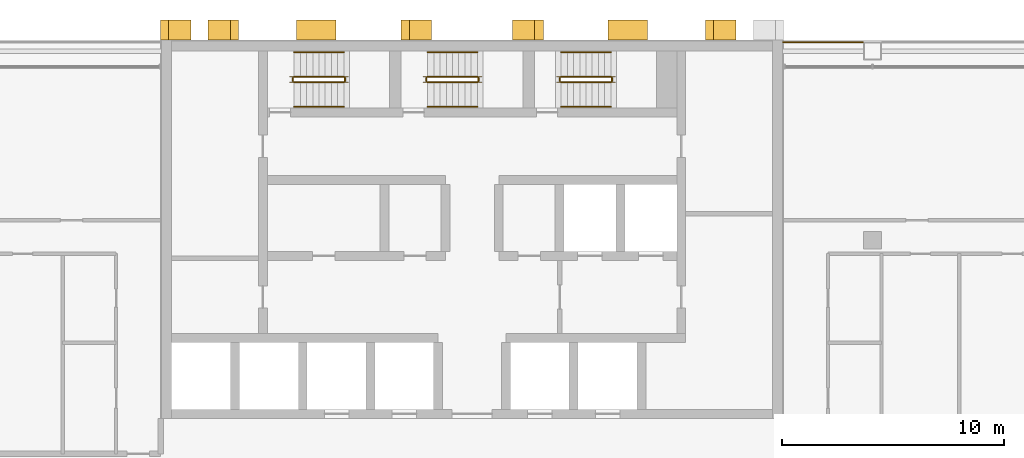
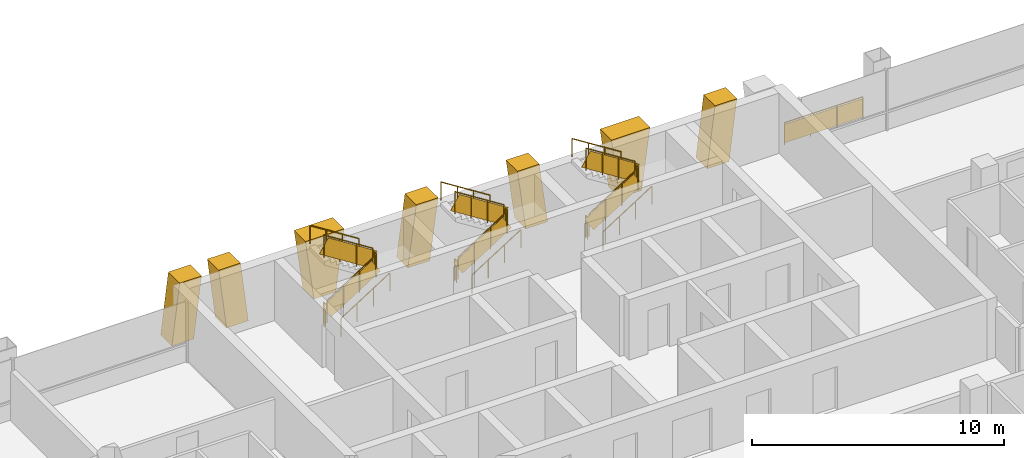
# One storey, part 16 of 17: 19 railings, 7 shading devices.
"""IFC4 building model written with IfcOpenShell, lengths in metres."""

from ifc_helpers import new_model, si_unit, direction, frame, origin, origin_2d, place, context, subcontext, project, spatial, polyline, rectangle, circle, outline, extrude, material, layer, layer_set, type_object, element, save


model = new_model("IFC4")

# Units and contexts
model_context = context("Model", 3, precision=1e-05, world=origin(), true_north=direction((0.0, 1.0)))
body_context = subcontext(model_context, "Body", "Model", "MODEL_VIEW")
ifc_project = project(units=[si_unit("LENGTHUNIT", "METRE"), si_unit("AREAUNIT", "SQUARE_METRE"), si_unit("VOLUMEUNIT", "CUBIC_METRE"), si_unit("PLANEANGLEUNIT", "RADIAN"), si_unit("MASSUNIT", "GRAM", prefix="KILO")], contexts=[model_context])

# Site, building, storey
site_placement = place(None, origin())
site = spatial("IfcSite", under=ifc_project, at=site_placement, CompositionType="ELEMENT")
building_placement = place(site_placement, origin())
building = spatial("IfcBuilding", under=site, at=building_placement, Name="Vidyagriha Tower", CompositionType="ELEMENT")
storey_placement = place(building_placement, frame((0.0, 0.0, 119.800048828125)))
storey = spatial("IfcBuildingStorey", under=building, at=storey_placement, Name="L30", CompositionType="ELEMENT", Elevation=119.800048828125)

# Shading devices
ifc_material_1 = material(Name="Precast concrete C40/50 with brick facing", Category="concrete")
ifc_layer_1 = layer(ifc_material_1, 1.0)
ifc_layer_set_1 = layer_set([ifc_layer_1], Name="Precast concrete C40/50 with brick facing")
shading_device_type_1 = type_object("IfcShadingDeviceType", Name="Brick-faced rear rib arm leaning 8 degrees", PredefinedType="USERDEFINED", material=ifc_layer_set_1)
shading_device_1_placement = place(storey_placement, frame((11.857177734375, 20.449951171875, 0.0), z_axis=(0.0, 0.0, 1.0), x_axis=(-1.0, 0.0, 0.0)))
element("IfcShadingDevice", 1, at=shading_device_1_placement, inside=storey, type_object=shading_device_type_1, Name="Rear rib arm L30 R08.1b", ObjectType="BLADE FIN", PredefinedType="USERDEFINED", context=body_context, shape_type="SweptSolid", body=[
    extrude(outline(polyline([(0.357177734375, 0.0), (1.357177734375, 0.0), (1.0, 2.919921875), (0.0, 2.919921875), (0.357177734375, 0.0)])), frame((0.0, 0.449951171875, 0.0), z_axis=(0.0, -1.0, 0.0), x_axis=(1.0, 0.0, 0.0)), (0.0, 0.0, 1.0), 0.89990234375),
])
shading_device_2_placement = place(storey_placement, frame((3.199951171875, 20.449951171875, 0.0), z_axis=(0.0, 0.0, 1.0), x_axis=(-1.0, 0.0, 0.0)))
element("IfcShadingDevice", 2, at=shading_device_2_placement, inside=storey, type_object=shading_device_type_1, Name="Rear rib arm L30 R08.3a", ObjectType="BLADE FIN", PredefinedType="USERDEFINED", context=body_context, shape_type="SweptSolid", body=[
    extrude(outline(polyline([(0.0, 0.0), (1.0, 0.0), (1.3857421875, 2.919921875), (0.3857421875, 2.919921875), (0.0, 0.0)])), frame((0.0, 0.449951171875, 0.0), z_axis=(0.0, -1.0, 0.0), x_axis=(1.0, 0.0, 0.0)), (0.0, 0.0, 1.0), 0.89990234375),
])
shading_device_3_placement = place(storey_placement, frame((-1.814208984375, 20.449951171875, 0.0), z_axis=(0.0, 0.0, 1.0), x_axis=(-1.0, 0.0, 0.0)))
element("IfcShadingDevice", 3, at=shading_device_3_placement, inside=storey, type_object=shading_device_type_1, Name="Rear rib arm L30 R08.3b", ObjectType="BLADE FIN", PredefinedType="USERDEFINED", context=body_context, shape_type="SweptSolid", body=[
    extrude(outline(polyline([(0.3857421875, 0.0), (1.3857421875, 0.0), (1.0, 2.919921875), (0.0, 2.919921875), (0.3857421875, 0.0)])), frame((0.0, 0.449951171875, 0.0), z_axis=(0.0, -1.0, 0.0), x_axis=(1.0, 0.0, 0.0)), (0.0, 0.0, 1.0), 0.89990234375),
])
shading_device_4_placement = place(storey_placement, frame((-10.5, 20.449951171875, 0.0), z_axis=(0.0, 0.0, 1.0), x_axis=(-1.0, 0.0, 0.0)))
element("IfcShadingDevice", 4, at=shading_device_4_placement, inside=storey, type_object=shading_device_type_1, Name="Rear rib arm L30 R08.5a", ObjectType="BLADE FIN", PredefinedType="USERDEFINED", context=body_context, shape_type="SweptSolid", body=[
    extrude(outline(polyline([(0.0, 0.0), (1.0, 0.0), (1.357177734375, 2.919921875), (0.357177734375, 2.919921875), (0.0, 0.0)])), frame((0.0, 0.449951171875, 0.0), z_axis=(0.0, -1.0, 0.0), x_axis=(1.0, 0.0, 0.0)), (0.0, 0.0, 1.0), 0.89990234375),
])
shading_device_5_placement = place(storey_placement, frame((-12.642822265625, 20.449951171875, 0.0), z_axis=(0.0, 0.0, 1.0), x_axis=(-1.0, 0.0, 0.0)))
element("IfcShadingDevice", 5, at=shading_device_5_placement, inside=storey, type_object=shading_device_type_1, Name="Rear rib arm L30 R08.5b", ObjectType="BLADE FIN", PredefinedType="USERDEFINED", context=body_context, shape_type="SweptSolid", body=[
    extrude(outline(polyline([(0.357177734375, 0.0), (1.357177734375, 0.0), (1.0, 2.919921875), (0.0, 2.919921875), (0.357177734375, 0.0)])), frame((0.0, 0.449951171875, 0.0), z_axis=(0.0, -1.0, 0.0), x_axis=(1.0, 0.0, 0.0)), (0.0, 0.0, 1.0), 0.89990234375),
])
ifc_material_2 = material(Name="Precast concrete C40/50 with brick facing", Category="concrete")
ifc_layer_2 = layer(ifc_material_2, 1.0)
ifc_layer_set_2 = layer_set([ifc_layer_2], Name="Precast concrete C40/50 with brick facing")
shading_device_type_2 = type_object("IfcShadingDeviceType", Name="Brick-faced rear rib forking 8 degrees", PredefinedType="USERDEFINED", material=ifc_layer_set_2)
for number, where, z_axis, x_axis, name in (
    (6, (7.8857421875, 20.449951171875, 0.0), (0.0, 0.0, 1.0), (-1.0, 0.0, 0.0), "Rear rib fork L30 R08.2a"),
    (7, (-6.1142578125, 20.449951171875, 0.0), (0.0, 0.0, 1.0), (-1.0, 0.0, 0.0), "Rear rib fork L30 R08.4a"),
):
    element("IfcShadingDevice", number, at=place(storey_placement, frame(where, z_axis=z_axis, x_axis=x_axis)), inside=storey, type_object=shading_device_type_2, Name=name, ObjectType="BLADE FIN", PredefinedType="USERDEFINED", context=body_context, shape_type="SweptSolid", body=[
        extrude(outline(polyline([(0.3857421875, 0.0), (1.3857421875, 0.0), (1.771484375, 2.919921875), (0.0, 2.919921875), (0.3857421875, 0.0)])), frame((0.0, 0.449951171875, 0.0), z_axis=(0.0, -1.0, 0.0), x_axis=(1.0, 0.0, 0.0)), (0.0, 0.0, 1.0), 0.89990234375),
    ])

# Railings
ifc_material_3 = material(Name="Steel ASTM A500 Grade C black painted", Category="steel")
railing_type_1 = type_object("IfcRailingType", Name="Gallery guard 1100", PredefinedType="GUARDRAIL", material=ifc_material_3)
railing_1_placement = place(storey_placement, frame((13.97998046875, 19.89990234375, 0.0)))
element("IfcRailing", 8, at=railing_1_placement, inside=storey, type_object=railing_type_1, Name="Gallery guard L30 9", PredefinedType="GUARDRAIL", context=body_context, shape_type="SweptSolid", body=[
    extrude(circle(Radius=0.02490234375, at=origin_2d()), frame((0.0, 0.0, 1.0751953125), z_axis=(1.0, 0.0, 0.0), x_axis=(0.0, 1.0, 0.0)), (0.0, 0.0, 1.0), 3.590087890625),
    extrude(circle(Radius=0.02001953125, at=origin_2d()), origin(), (0.0, 0.0, 1.0), 1.050048828125),
    extrude(circle(Radius=0.02001953125, at=origin_2d()), frame((1.19677734375, 0.0, 0.0)), (0.0, 0.0, 1.0), 1.050048828125),
    extrude(circle(Radius=0.02001953125, at=origin_2d()), frame((2.393310546875, 0.0, 0.0)), (0.0, 0.0, 1.0), 1.050048828125),
    extrude(circle(Radius=0.02001953125, at=origin_2d()), frame((3.590087890625, 0.0, 0.0)), (0.0, 0.0, 1.0), 1.050048828125),
    extrude(rectangle(XDim=0.010009765625, YDim=0.900146484375, at=origin_2d()), frame((0.0, 0.0, 0.550048828125), z_axis=(1.0, 0.0, 0.0), x_axis=(0.0, 1.0, 0.0)), (0.0, 0.0, 1.0), 3.590087890625),
])
ifc_material_4 = material(Name="Steel ASTM A500 Grade C", Category="steel")
railing_type_2 = type_object("IfcRailingType", Name="Stair guard 1100 mm, steel balustrade", PredefinedType="GUARDRAIL", material=ifc_material_4)
railing_2_placement = place(storey_placement, frame((-8.0, 18.10009765625, 0.177734375)))
element("IfcRailing", 9, at=railing_2_placement, inside=storey, type_object=railing_type_2, Name="L30 ST1 stair guard 1", PredefinedType="GUARDRAIL", context=body_context, shape_type="SweptSolid", body=[
    extrude(circle(Radius=0.02392578125, at=origin_2d()), frame((0.0, 0.0, 1.076171875), z_axis=(0.8442293374, 0.0, 0.53598211339), x_axis=(0.0, 1.0, 0.0)), (0.0, 0.0, 1.0), 2.6533203125),
    extrude(circle(Radius=0.02099609375, at=origin_2d()), origin(), (0.0, 0.0, 1.0), 1.052001953125),
    extrude(circle(Radius=0.02099609375, at=origin_2d()), frame((0.74658203125, 0.0, 0.47412109375)), (0.0, 0.0, 1.0), 1.052001953125),
    extrude(circle(Radius=0.02099609375, at=origin_2d()), frame((1.493408203125, 0.0, 0.947998046875)), (0.0, 0.0, 1.0), 1.052001953125),
    extrude(circle(Radius=0.02099609375, at=origin_2d()), frame((2.239990234375, 0.0, 1.422119140625)), (0.0, 0.0, 1.0), 1.052001953125),
    extrude(rectangle(XDim=0.010009765625, YDim=0.761474609375, at=origin_2d()), frame((0.0, 0.0, 0.551025390625), z_axis=(0.8442293374, 0.0, 0.53598211339), x_axis=(0.0, 1.0, 0.0)), (0.0, 0.0, 1.0), 2.6533203125),
])
railing_3_placement = place(storey_placement, frame((-5.7099609375, 18.14990234375, 1.599853515625)))
element("IfcRailing", 10, at=railing_3_placement, inside=storey, type_object=railing_type_2, Name="L30 ST1 stair guard 2", PredefinedType="GUARDRAIL", context=body_context, shape_type="SweptSolid", body=[
    extrude(circle(Radius=0.02392578125, at=origin_2d()), frame((0.0, 0.0, 1.076171875), z_axis=(0.0, 1.0, 0.0), x_axis=(-1.0, 0.0, 0.0)), (0.0, 0.0, 1.0), 0.150146484375),
    extrude(circle(Radius=0.02099609375, at=origin_2d()), origin(), (0.0, 0.0, 1.0), 1.052001953125),
    extrude(circle(Radius=0.02099609375, at=origin_2d()), frame((0.0, 0.150146484375, 0.0)), (0.0, 0.0, 1.0), 1.052001953125),
    extrude(rectangle(XDim=0.010009765625, YDim=0.902099609375, at=origin_2d()), frame((0.0, 0.0, 0.551025390625), z_axis=(0.0, 1.0, 0.0), x_axis=(-1.0, 0.0, 0.0)), (0.0, 0.0, 1.0), 0.150146484375),
])
railing_4_placement = place(storey_placement, frame((-5.760009765625, 18.35009765625, 1.77783203125)))
element("IfcRailing", 11, at=railing_4_placement, inside=storey, type_object=railing_type_2, Name="L30 ST1 stair guard 3", PredefinedType="GUARDRAIL", context=body_context, shape_type="SweptSolid", body=[
    extrude(circle(Radius=0.02392578125, at=origin_2d()), frame((0.0, 0.0, 1.076171875), z_axis=(-0.8442293374, 0.0, 0.53598211339), x_axis=(0.0, -1.0, 0.0)), (0.0, 0.0, 1.0), 2.6533203125),
    extrude(circle(Radius=0.02099609375, at=origin_2d()), origin(), (0.0, 0.0, 1.0), 1.052001953125),
    extrude(circle(Radius=0.02099609375, at=origin_2d()), frame((-0.74658203125, 0.0, 0.47412109375)), (0.0, 0.0, 1.0), 1.052001953125),
    extrude(circle(Radius=0.02099609375, at=origin_2d()), frame((-1.493408203125, 0.0, 0.947998046875)), (0.0, 0.0, 1.0), 1.052001953125),
    extrude(circle(Radius=0.02099609375, at=origin_2d()), frame((-2.239990234375, 0.0, 1.422119140625)), (0.0, 0.0, 1.0), 1.052001953125),
    extrude(rectangle(XDim=0.010009765625, YDim=0.761474609375, at=origin_2d()), frame((0.0, 0.0, 0.551025390625), z_axis=(-0.8442293374, 0.0, 0.53598211339), x_axis=(0.0, -1.0, 0.0)), (0.0, 0.0, 1.0), 2.6533203125),
])
railing_5_placement = place(storey_placement, frame((-8.050048828125, 18.14990234375, 0.0)))
element("IfcRailing", 12, at=railing_5_placement, inside=storey, type_object=railing_type_2, Name="L30 ST1 stair guard 4", PredefinedType="GUARDRAIL", context=body_context, shape_type="SweptSolid", body=[
    extrude(circle(Radius=0.02392578125, at=origin_2d()), frame((0.0, 0.0, 1.076171875), z_axis=(0.0, 1.0, 0.0), x_axis=(-1.0, 0.0, 0.0)), (0.0, 0.0, 1.0), 0.150146484375),
    extrude(circle(Radius=0.02099609375, at=origin_2d()), origin(), (0.0, 0.0, 1.0), 1.052001953125),
    extrude(circle(Radius=0.02099609375, at=origin_2d()), frame((0.0, 0.150146484375, 0.0)), (0.0, 0.0, 1.0), 1.052001953125),
    extrude(rectangle(XDim=0.010009765625, YDim=0.902099609375, at=origin_2d()), frame((0.0, 0.0, 0.551025390625), z_axis=(0.0, 1.0, 0.0), x_axis=(-1.0, 0.0, 0.0)), (0.0, 0.0, 1.0), 0.150146484375),
])
railing_6_placement = place(storey_placement, frame((-2.0, 18.10009765625, 0.177734375)))
element("IfcRailing", 13, at=railing_6_placement, inside=storey, type_object=railing_type_2, Name="L30 ST2 stair guard 1", PredefinedType="GUARDRAIL", context=body_context, shape_type="SweptSolid", body=[
    extrude(circle(Radius=0.02392578125, at=origin_2d()), frame((0.0, 0.0, 1.076171875), z_axis=(0.8442293374, 0.0, 0.53598211339), x_axis=(0.0, 1.0, 0.0)), (0.0, 0.0, 1.0), 2.6533203125),
    extrude(circle(Radius=0.02099609375, at=origin_2d()), origin(), (0.0, 0.0, 1.0), 1.052001953125),
    extrude(circle(Radius=0.02099609375, at=origin_2d()), frame((0.74658203125, 0.0, 0.47412109375)), (0.0, 0.0, 1.0), 1.052001953125),
    extrude(circle(Radius=0.02099609375, at=origin_2d()), frame((1.493408203125, 0.0, 0.947998046875)), (0.0, 0.0, 1.0), 1.052001953125),
    extrude(circle(Radius=0.02099609375, at=origin_2d()), frame((2.239990234375, 0.0, 1.422119140625)), (0.0, 0.0, 1.0), 1.052001953125),
    extrude(rectangle(XDim=0.010009765625, YDim=0.761474609375, at=origin_2d()), frame((0.0, 0.0, 0.551025390625), z_axis=(0.8442293374, 0.0, 0.53598211339), x_axis=(0.0, 1.0, 0.0)), (0.0, 0.0, 1.0), 2.6533203125),
])
railing_7_placement = place(storey_placement, frame((0.2900390625, 18.14990234375, 1.599853515625)))
element("IfcRailing", 14, at=railing_7_placement, inside=storey, type_object=railing_type_2, Name="L30 ST2 stair guard 2", PredefinedType="GUARDRAIL", context=body_context, shape_type="SweptSolid", body=[
    extrude(circle(Radius=0.02392578125, at=origin_2d()), frame((0.0, 0.0, 1.076171875), z_axis=(0.0, 1.0, 0.0), x_axis=(-1.0, 0.0, 0.0)), (0.0, 0.0, 1.0), 0.150146484375),
    extrude(circle(Radius=0.02099609375, at=origin_2d()), origin(), (0.0, 0.0, 1.0), 1.052001953125),
    extrude(circle(Radius=0.02099609375, at=origin_2d()), frame((0.0, 0.150146484375, 0.0)), (0.0, 0.0, 1.0), 1.052001953125),
    extrude(rectangle(XDim=0.010009765625, YDim=0.902099609375, at=origin_2d()), frame((0.0, 0.0, 0.551025390625), z_axis=(0.0, 1.0, 0.0), x_axis=(-1.0, 0.0, 0.0)), (0.0, 0.0, 1.0), 0.150146484375),
])
railing_8_placement = place(storey_placement, frame((0.239990234375, 18.35009765625, 1.77783203125)))
element("IfcRailing", 15, at=railing_8_placement, inside=storey, type_object=railing_type_2, Name="L30 ST2 stair guard 3", PredefinedType="GUARDRAIL", context=body_context, shape_type="SweptSolid", body=[
    extrude(circle(Radius=0.02392578125, at=origin_2d()), frame((0.0, 0.0, 1.076171875), z_axis=(-0.8442293374, 0.0, 0.53598211339), x_axis=(0.0, -1.0, 0.0)), (0.0, 0.0, 1.0), 2.6533203125),
    extrude(circle(Radius=0.02099609375, at=origin_2d()), origin(), (0.0, 0.0, 1.0), 1.052001953125),
    extrude(circle(Radius=0.02099609375, at=origin_2d()), frame((-0.74658203125, 0.0, 0.47412109375)), (0.0, 0.0, 1.0), 1.052001953125),
    extrude(circle(Radius=0.02099609375, at=origin_2d()), frame((-1.493408203125, 0.0, 0.947998046875)), (0.0, 0.0, 1.0), 1.052001953125),
    extrude(circle(Radius=0.02099609375, at=origin_2d()), frame((-2.239990234375, 0.0, 1.422119140625)), (0.0, 0.0, 1.0), 1.052001953125),
    extrude(rectangle(XDim=0.010009765625, YDim=0.761474609375, at=origin_2d()), frame((0.0, 0.0, 0.551025390625), z_axis=(-0.8442293374, 0.0, 0.53598211339), x_axis=(0.0, -1.0, 0.0)), (0.0, 0.0, 1.0), 2.6533203125),
])
railing_9_placement = place(storey_placement, frame((-2.050048828125, 18.14990234375, 0.0)))
element("IfcRailing", 16, at=railing_9_placement, inside=storey, type_object=railing_type_2, Name="L30 ST2 stair guard 4", PredefinedType="GUARDRAIL", context=body_context, shape_type="SweptSolid", body=[
    extrude(circle(Radius=0.02392578125, at=origin_2d()), frame((0.0, 0.0, 1.076171875), z_axis=(0.0, 1.0, 0.0), x_axis=(-1.0, 0.0, 0.0)), (0.0, 0.0, 1.0), 0.150146484375),
    extrude(circle(Radius=0.02099609375, at=origin_2d()), origin(), (0.0, 0.0, 1.0), 1.052001953125),
    extrude(circle(Radius=0.02099609375, at=origin_2d()), frame((0.0, 0.150146484375, 0.0)), (0.0, 0.0, 1.0), 1.052001953125),
    extrude(rectangle(XDim=0.010009765625, YDim=0.902099609375, at=origin_2d()), frame((0.0, 0.0, 0.551025390625), z_axis=(0.0, 1.0, 0.0), x_axis=(-1.0, 0.0, 0.0)), (0.0, 0.0, 1.0), 0.150146484375),
])
railing_10_placement = place(storey_placement, frame((4.0, 18.10009765625, 0.177734375)))
element("IfcRailing", 17, at=railing_10_placement, inside=storey, type_object=railing_type_2, Name="L30 ST3 stair guard 1", PredefinedType="GUARDRAIL", context=body_context, shape_type="SweptSolid", body=[
    extrude(circle(Radius=0.02392578125, at=origin_2d()), frame((0.0, 0.0, 1.076171875), z_axis=(0.8442293374, 0.0, 0.53598211339), x_axis=(0.0, 1.0, 0.0)), (0.0, 0.0, 1.0), 2.6533203125),
    extrude(circle(Radius=0.02099609375, at=origin_2d()), origin(), (0.0, 0.0, 1.0), 1.052001953125),
    extrude(circle(Radius=0.02099609375, at=origin_2d()), frame((0.74658203125, 0.0, 0.47412109375)), (0.0, 0.0, 1.0), 1.052001953125),
    extrude(circle(Radius=0.02099609375, at=origin_2d()), frame((1.493408203125, 0.0, 0.947998046875)), (0.0, 0.0, 1.0), 1.052001953125),
    extrude(circle(Radius=0.02099609375, at=origin_2d()), frame((2.239990234375, 0.0, 1.422119140625)), (0.0, 0.0, 1.0), 1.052001953125),
    extrude(rectangle(XDim=0.010009765625, YDim=0.761474609375, at=origin_2d()), frame((0.0, 0.0, 0.551025390625), z_axis=(0.8442293374, 0.0, 0.53598211339), x_axis=(0.0, 1.0, 0.0)), (0.0, 0.0, 1.0), 2.6533203125),
])
railing_11_placement = place(storey_placement, frame((6.2900390625, 18.14990234375, 1.599853515625)))
element("IfcRailing", 18, at=railing_11_placement, inside=storey, type_object=railing_type_2, Name="L30 ST3 stair guard 2", PredefinedType="GUARDRAIL", context=body_context, shape_type="SweptSolid", body=[
    extrude(circle(Radius=0.02392578125, at=origin_2d()), frame((0.0, 0.0, 1.076171875), z_axis=(0.0, 1.0, 0.0), x_axis=(-1.0, 0.0, 0.0)), (0.0, 0.0, 1.0), 0.150146484375),
    extrude(circle(Radius=0.02099609375, at=origin_2d()), origin(), (0.0, 0.0, 1.0), 1.052001953125),
    extrude(circle(Radius=0.02099609375, at=origin_2d()), frame((0.0, 0.150146484375, 0.0)), (0.0, 0.0, 1.0), 1.052001953125),
    extrude(rectangle(XDim=0.010009765625, YDim=0.902099609375, at=origin_2d()), frame((0.0, 0.0, 0.551025390625), z_axis=(0.0, 1.0, 0.0), x_axis=(-1.0, 0.0, 0.0)), (0.0, 0.0, 1.0), 0.150146484375),
])
railing_12_placement = place(storey_placement, frame((6.239990234375, 18.35009765625, 1.77783203125)))
element("IfcRailing", 19, at=railing_12_placement, inside=storey, type_object=railing_type_2, Name="L30 ST3 stair guard 3", PredefinedType="GUARDRAIL", context=body_context, shape_type="SweptSolid", body=[
    extrude(circle(Radius=0.02392578125, at=origin_2d()), frame((0.0, 0.0, 1.076171875), z_axis=(-0.8442293374, 0.0, 0.53598211339), x_axis=(0.0, -1.0, 0.0)), (0.0, 0.0, 1.0), 2.6533203125),
    extrude(circle(Radius=0.02099609375, at=origin_2d()), origin(), (0.0, 0.0, 1.0), 1.052001953125),
    extrude(circle(Radius=0.02099609375, at=origin_2d()), frame((-0.74658203125, 0.0, 0.47412109375)), (0.0, 0.0, 1.0), 1.052001953125),
    extrude(circle(Radius=0.02099609375, at=origin_2d()), frame((-1.493408203125, 0.0, 0.947998046875)), (0.0, 0.0, 1.0), 1.052001953125),
    extrude(circle(Radius=0.02099609375, at=origin_2d()), frame((-2.239990234375, 0.0, 1.422119140625)), (0.0, 0.0, 1.0), 1.052001953125),
    extrude(rectangle(XDim=0.010009765625, YDim=0.761474609375, at=origin_2d()), frame((0.0, 0.0, 0.551025390625), z_axis=(-0.8442293374, 0.0, 0.53598211339), x_axis=(0.0, -1.0, 0.0)), (0.0, 0.0, 1.0), 2.6533203125),
])
railing_13_placement = place(storey_placement, frame((3.949951171875, 18.14990234375, 0.0)))
element("IfcRailing", 20, at=railing_13_placement, inside=storey, type_object=railing_type_2, Name="L30 ST3 stair guard 4", PredefinedType="GUARDRAIL", context=body_context, shape_type="SweptSolid", body=[
    extrude(circle(Radius=0.02392578125, at=origin_2d()), frame((0.0, 0.0, 1.076171875), z_axis=(0.0, 1.0, 0.0), x_axis=(-1.0, 0.0, 0.0)), (0.0, 0.0, 1.0), 0.150146484375),
    extrude(circle(Radius=0.02099609375, at=origin_2d()), origin(), (0.0, 0.0, 1.0), 1.052001953125),
    extrude(circle(Radius=0.02099609375, at=origin_2d()), frame((0.0, 0.150146484375, 0.0)), (0.0, 0.0, 1.0), 1.052001953125),
    extrude(rectangle(XDim=0.010009765625, YDim=0.902099609375, at=origin_2d()), frame((0.0, 0.0, 0.551025390625), z_axis=(0.0, 1.0, 0.0), x_axis=(-1.0, 0.0, 0.0)), (0.0, 0.0, 1.0), 0.150146484375),
])
ifc_material_5 = material(Name="Steel ASTM A500 Grade C", Category="steel")
railing_type_3 = type_object("IfcRailingType", Name="Stair handrail 900 mm, steel", PredefinedType="HANDRAIL", material=ifc_material_5)
railing_14_placement = place(storey_placement, frame((-8.0, 17.0, 0.177734375)))
element("IfcRailing", 21, at=railing_14_placement, inside=storey, type_object=railing_type_3, Name="L30 ST1 stair handrail 1", PredefinedType="HANDRAIL", context=body_context, shape_type="SweptSolid", body=[
    extrude(circle(Radius=0.02392578125, at=origin_2d()), frame((0.0, 0.0, 0.8759765625), z_axis=(0.8442293374, 0.0, 0.53598211339), x_axis=(0.0, 1.0, 0.0)), (0.0, 0.0, 1.0), 2.6533203125),
    extrude(circle(Radius=0.02099609375, at=origin_2d()), origin(), (0.0, 0.0, 1.0), 0.851806640625),
    extrude(circle(Radius=0.02099609375, at=origin_2d()), frame((0.74658203125, 0.0, 0.47412109375)), (0.0, 0.0, 1.0), 0.851806640625),
    extrude(circle(Radius=0.02099609375, at=origin_2d()), frame((1.493408203125, 0.0, 0.947998046875)), (0.0, 0.0, 1.0), 0.851806640625),
    extrude(circle(Radius=0.02099609375, at=origin_2d()), frame((2.239990234375, 0.0, 1.422119140625)), (0.0, 0.0, 1.0), 0.851806640625),
])
railing_15_placement = place(storey_placement, frame((-5.760009765625, 19.449951171875, 1.77783203125)))
element("IfcRailing", 22, at=railing_15_placement, inside=storey, type_object=railing_type_3, Name="L30 ST1 stair handrail 2", PredefinedType="HANDRAIL", context=body_context, shape_type="SweptSolid", body=[
    extrude(circle(Radius=0.02392578125, at=origin_2d()), frame((0.0, 0.0, 0.8759765625), z_axis=(-0.8442293374, 0.0, 0.53598211339), x_axis=(0.0, -1.0, 0.0)), (0.0, 0.0, 1.0), 2.6533203125),
    extrude(circle(Radius=0.02099609375, at=origin_2d()), origin(), (0.0, 0.0, 1.0), 0.851806640625),
    extrude(circle(Radius=0.02099609375, at=origin_2d()), frame((-0.74658203125, 0.0, 0.47412109375)), (0.0, 0.0, 1.0), 0.851806640625),
    extrude(circle(Radius=0.02099609375, at=origin_2d()), frame((-1.493408203125, 0.0, 0.947998046875)), (0.0, 0.0, 1.0), 0.851806640625),
    extrude(circle(Radius=0.02099609375, at=origin_2d()), frame((-2.239990234375, 0.0, 1.422119140625)), (0.0, 0.0, 1.0), 0.851806640625),
])
railing_16_placement = place(storey_placement, frame((-2.0, 17.0, 0.177734375)))
element("IfcRailing", 23, at=railing_16_placement, inside=storey, type_object=railing_type_3, Name="L30 ST2 stair handrail 1", PredefinedType="HANDRAIL", context=body_context, shape_type="SweptSolid", body=[
    extrude(circle(Radius=0.02392578125, at=origin_2d()), frame((0.0, 0.0, 0.8759765625), z_axis=(0.8442293374, 0.0, 0.53598211339), x_axis=(0.0, 1.0, 0.0)), (0.0, 0.0, 1.0), 2.6533203125),
    extrude(circle(Radius=0.02099609375, at=origin_2d()), origin(), (0.0, 0.0, 1.0), 0.851806640625),
    extrude(circle(Radius=0.02099609375, at=origin_2d()), frame((0.74658203125, 0.0, 0.47412109375)), (0.0, 0.0, 1.0), 0.851806640625),
    extrude(circle(Radius=0.02099609375, at=origin_2d()), frame((1.493408203125, 0.0, 0.947998046875)), (0.0, 0.0, 1.0), 0.851806640625),
    extrude(circle(Radius=0.02099609375, at=origin_2d()), frame((2.239990234375, 0.0, 1.422119140625)), (0.0, 0.0, 1.0), 0.851806640625),
])
railing_17_placement = place(storey_placement, frame((0.239990234375, 19.449951171875, 1.77783203125)))
element("IfcRailing", 24, at=railing_17_placement, inside=storey, type_object=railing_type_3, Name="L30 ST2 stair handrail 2", PredefinedType="HANDRAIL", context=body_context, shape_type="SweptSolid", body=[
    extrude(circle(Radius=0.02392578125, at=origin_2d()), frame((0.0, 0.0, 0.8759765625), z_axis=(-0.8442293374, 0.0, 0.53598211339), x_axis=(0.0, -1.0, 0.0)), (0.0, 0.0, 1.0), 2.6533203125),
    extrude(circle(Radius=0.02099609375, at=origin_2d()), origin(), (0.0, 0.0, 1.0), 0.851806640625),
    extrude(circle(Radius=0.02099609375, at=origin_2d()), frame((-0.74658203125, 0.0, 0.47412109375)), (0.0, 0.0, 1.0), 0.851806640625),
    extrude(circle(Radius=0.02099609375, at=origin_2d()), frame((-1.493408203125, 0.0, 0.947998046875)), (0.0, 0.0, 1.0), 0.851806640625),
    extrude(circle(Radius=0.02099609375, at=origin_2d()), frame((-2.239990234375, 0.0, 1.422119140625)), (0.0, 0.0, 1.0), 0.851806640625),
])
railing_18_placement = place(storey_placement, frame((4.0, 17.0, 0.177734375)))
element("IfcRailing", 25, at=railing_18_placement, inside=storey, type_object=railing_type_3, Name="L30 ST3 stair handrail 1", PredefinedType="HANDRAIL", context=body_context, shape_type="SweptSolid", body=[
    extrude(circle(Radius=0.02392578125, at=origin_2d()), frame((0.0, 0.0, 0.8759765625), z_axis=(0.8442293374, 0.0, 0.53598211339), x_axis=(0.0, 1.0, 0.0)), (0.0, 0.0, 1.0), 2.6533203125),
    extrude(circle(Radius=0.02099609375, at=origin_2d()), origin(), (0.0, 0.0, 1.0), 0.851806640625),
    extrude(circle(Radius=0.02099609375, at=origin_2d()), frame((0.74658203125, 0.0, 0.47412109375)), (0.0, 0.0, 1.0), 0.851806640625),
    extrude(circle(Radius=0.02099609375, at=origin_2d()), frame((1.493408203125, 0.0, 0.947998046875)), (0.0, 0.0, 1.0), 0.851806640625),
    extrude(circle(Radius=0.02099609375, at=origin_2d()), frame((2.239990234375, 0.0, 1.422119140625)), (0.0, 0.0, 1.0), 0.851806640625),
])
railing_19_placement = place(storey_placement, frame((6.239990234375, 19.449951171875, 1.77783203125)))
element("IfcRailing", 26, at=railing_19_placement, inside=storey, type_object=railing_type_3, Name="L30 ST3 stair handrail 2", PredefinedType="HANDRAIL", context=body_context, shape_type="SweptSolid", body=[
    extrude(circle(Radius=0.02392578125, at=origin_2d()), frame((0.0, 0.0, 0.8759765625), z_axis=(-0.8442293374, 0.0, 0.53598211339), x_axis=(0.0, -1.0, 0.0)), (0.0, 0.0, 1.0), 2.6533203125),
    extrude(circle(Radius=0.02099609375, at=origin_2d()), origin(), (0.0, 0.0, 1.0), 0.851806640625),
    extrude(circle(Radius=0.02099609375, at=origin_2d()), frame((-0.74658203125, 0.0, 0.47412109375)), (0.0, 0.0, 1.0), 0.851806640625),
    extrude(circle(Radius=0.02099609375, at=origin_2d()), frame((-1.493408203125, 0.0, 0.947998046875)), (0.0, 0.0, 1.0), 0.851806640625),
    extrude(circle(Radius=0.02099609375, at=origin_2d()), frame((-2.239990234375, 0.0, 1.422119140625)), (0.0, 0.0, 1.0), 0.851806640625),
])

save(model, "model.ifc")
